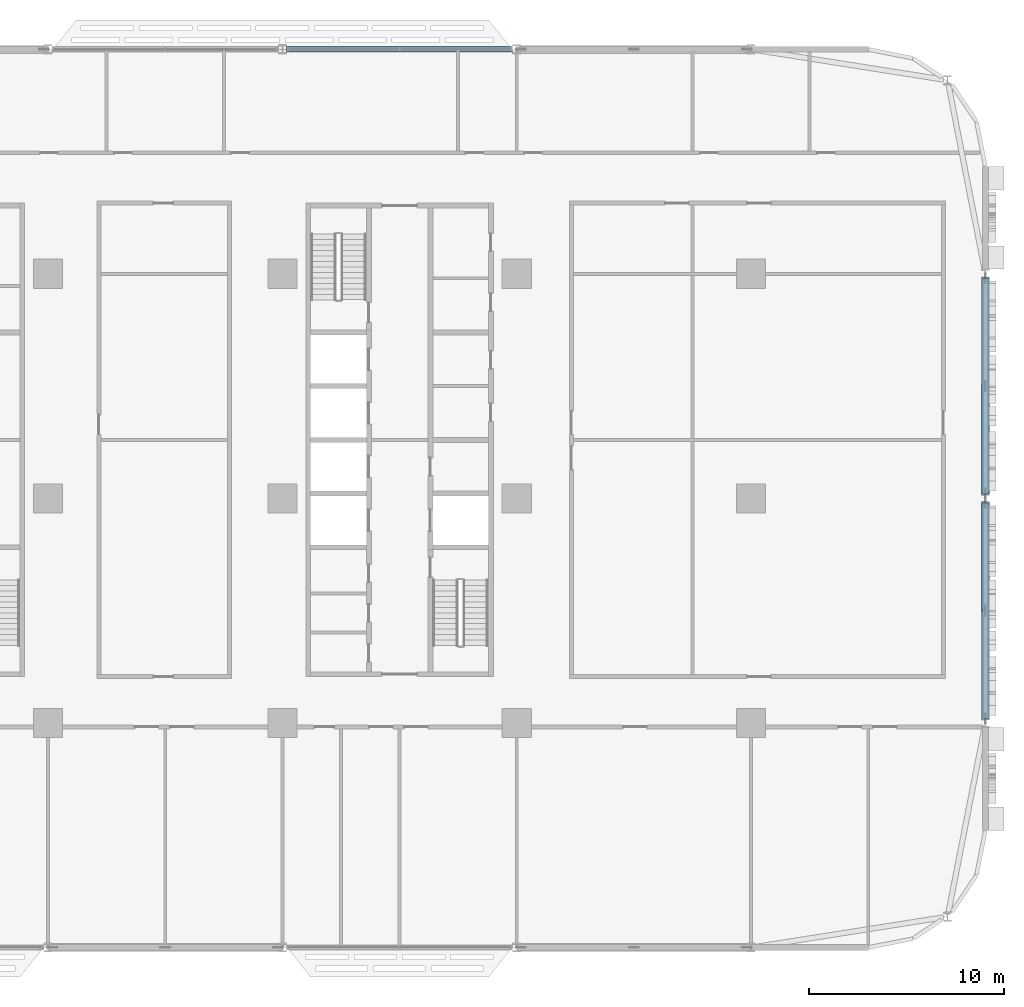
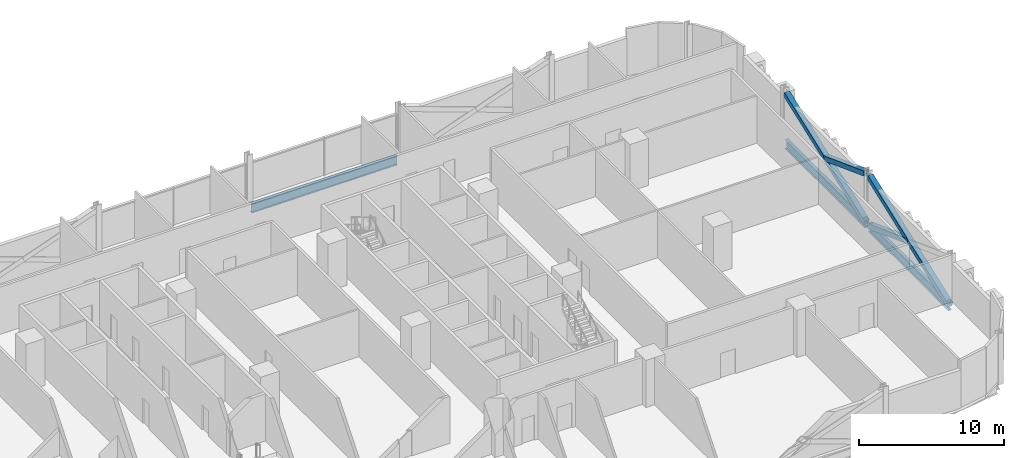
# One storey, part 9 of 29: 4 members, 3 beams.
"""IFC4 building model written with IfcOpenShell, lengths in metres."""

from ifc_helpers import new_model, si_unit, direction, frame, origin, origin_2d, place, context, subcontext, project, spatial, hollow_rectangle, i_section, extrude, material, material_profile, profile_set, type_object, element, save


model = new_model("IFC4")

# Units and contexts
model_context = context("Model", 3, precision=1e-05, world=origin(), true_north=direction((0.0, 1.0)))
body_context = subcontext(model_context, "Body", "Model", "MODEL_VIEW")
ifc_project = project(units=[si_unit("LENGTHUNIT", "METRE"), si_unit("AREAUNIT", "SQUARE_METRE"), si_unit("VOLUMEUNIT", "CUBIC_METRE"), si_unit("PLANEANGLEUNIT", "RADIAN"), si_unit("MASSUNIT", "GRAM", prefix="KILO")], contexts=[model_context])

# Site, building, storey
site_placement = place(None, origin())
site = spatial("IfcSite", under=ifc_project, at=site_placement, CompositionType="ELEMENT")
building_placement = place(site_placement, origin())
building = spatial("IfcBuilding", under=site, at=building_placement, Name="Mahtab Terrace Research Tower", CompositionType="ELEMENT")
storey_placement = place(building_placement, frame((0.0, 0.0, 54.60009765625)))
storey = spatial("IfcBuildingStorey", under=building, at=storey_placement, Name="L12", CompositionType="ELEMENT", Elevation=54.60009765625)

# Members
ifc_material_1 = material(Name="Steel ASTM A500 Gr C", Category="steel")
ifc_material_profile_1 = material_profile(ifc_material_1, hollow_rectangle(XDim=0.406494140625, YDim=0.406494140625, WallThickness=0.01904296875, at=origin_2d()), Name="HSS16X16X3/4")
ifc_profile_set_1 = profile_set([ifc_material_profile_1], Name="Steel ASTM A500 Gr C")
member_type = type_object("IfcMemberType", Name="HSS 16x16x3/4 brace XB161634", PredefinedType="BRACE", material=ifc_profile_set_1)
member_1_placement = place(storey_placement, frame((54.0, -11.262451171875, -0.629638671875), z_axis=(0.0, 0.936664598222, 0.35022768371), x_axis=(-1.0, 0.0, 0.0)))
element("IfcMember", 1, at=member_1_placement, inside=storey, type_object=member_type, Name="Exoskeleton brace L12 22 a", PredefinedType="BRACE", context=body_context, shape_type="SweptSolid", body=[
    extrude(hollow_rectangle(XDim=0.406494140625, YDim=0.406494140625, WallThickness=0.01904296875, at=origin_2d()), origin(), (0.0, 0.0, 1.0), 11.770263671875),
])
member_2_placement = place(storey_placement, frame((54.0, -0.237548828125, -0.629638671875), z_axis=(0.0, -0.936671402403, 0.350209485765), x_axis=(1.0, 0.0, 0.0)))
element("IfcMember", 2, at=member_2_placement, inside=storey, type_object=member_type, Name="Exoskeleton brace L12 22 b1", PredefinedType="BRACE", context=body_context, shape_type="SweptSolid", body=[
    extrude(hollow_rectangle(XDim=0.406494140625, YDim=0.406494140625, WallThickness=0.01904296875, at=origin_2d()), origin(), (0.0, 0.0, 1.0), 5.88525390625),
])
member_3_placement = place(storey_placement, frame((54.0, 0.237548828125, -0.629638671875), z_axis=(0.0, 0.936664598222, 0.35022768371), x_axis=(-1.0, 0.0, 0.0)))
element("IfcMember", 3, at=member_3_placement, inside=storey, type_object=member_type, Name="Exoskeleton brace L12 23 a", PredefinedType="BRACE", context=body_context, shape_type="SweptSolid", body=[
    extrude(hollow_rectangle(XDim=0.406494140625, YDim=0.406494140625, WallThickness=0.01904296875, at=origin_2d()), origin(), (0.0, 0.0, 1.0), 11.770263671875),
])
member_4_placement = place(storey_placement, frame((54.0, 5.75, 1.431396484375), z_axis=(0.0, -0.936657793787, 0.350245881259), x_axis=(1.0, 0.0, 0.0)))
element("IfcMember", 4, at=member_4_placement, inside=storey, type_object=member_type, Name="Exoskeleton brace L12 23 b2", PredefinedType="BRACE", context=body_context, shape_type="SweptSolid", body=[
    extrude(hollow_rectangle(XDim=0.406494140625, YDim=0.406494140625, WallThickness=0.01904296875, at=origin_2d()), origin(), (0.0, 0.0, 1.0), 5.88525390625),
])

# Beams
ifc_material_2 = material(Name="Steel ASTM A992 Gr 50", Category="steel")
ifc_material_profile_2 = material_profile(ifc_material_2, i_section(OverallWidth=0.2666015625, OverallDepth=0.7568359375, WebThickness=0.013916015625, FlangeThickness=0.019287109375, at=origin_2d()), Name="W30X108")
ifc_profile_set_2 = profile_set([ifc_material_profile_2], Name="Steel ASTM A992 Gr 50")
beam_type = type_object("IfcBeamType", Name="W30x108 beam BS30108", PredefinedType="BEAM", material=ifc_profile_set_2)
beam_placement = place(storey_placement, frame((29.787841796875, 23.0, -0.718505859375), z_axis=(-1.0, 0.0, 0.0), x_axis=(0.0, -1.0, 0.0)))
element("IfcBeam", 5, at=beam_placement, inside=storey, type_object=beam_type, Name="Spandrel beam L12 03", PredefinedType="BEAM", context=body_context, shape_type="SweptSolid", body=[
    extrude(i_section(OverallWidth=0.2666015625, OverallDepth=0.7568359375, WebThickness=0.013916015625, FlangeThickness=0.019287109375, at=origin_2d()), origin(), (0.0, 0.0, 1.0), 11.57568359375),
])
for number, where, z_axis, x_axis, name in (
    (6, (54.0, -11.262451171875, -0.718505859375), (0.0, 1.0, 0.0), (-1.0, 0.0, 0.0), "Spandrel beam L12 22"),
    (7, (54.0, 0.237548828125, -0.718505859375), (0.0, 1.0, 0.0), (-1.0, 0.0, 0.0), "Spandrel beam L12 23"),
):
    element("IfcBeam", number, at=place(storey_placement, frame(where, z_axis=z_axis, x_axis=x_axis)), inside=storey, type_object=beam_type, Name=name, PredefinedType="BEAM", context=body_context, shape_type="SweptSolid", body=[
        extrude(i_section(OverallWidth=0.2666015625, OverallDepth=0.7568359375, WebThickness=0.013916015625, FlangeThickness=0.019287109375, at=origin_2d()), origin(), (0.0, 0.0, 1.0), 11.02490234375),
    ])

save(model, "model.ifc")
